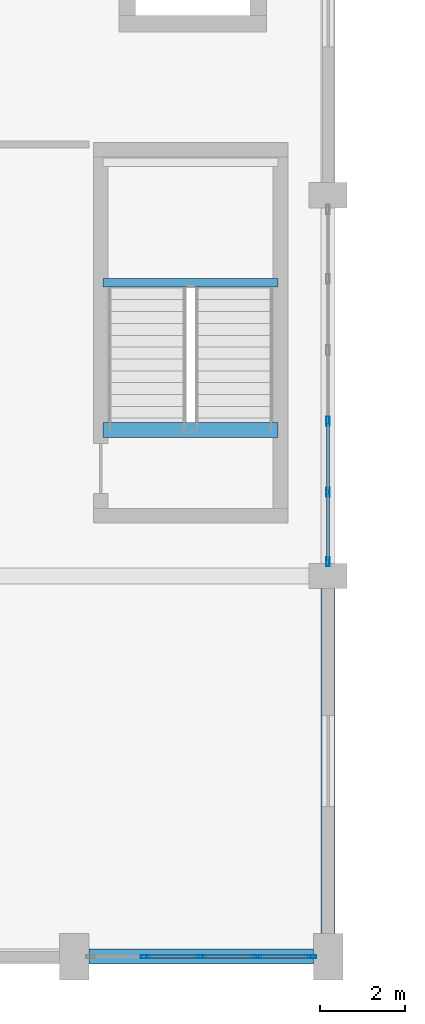
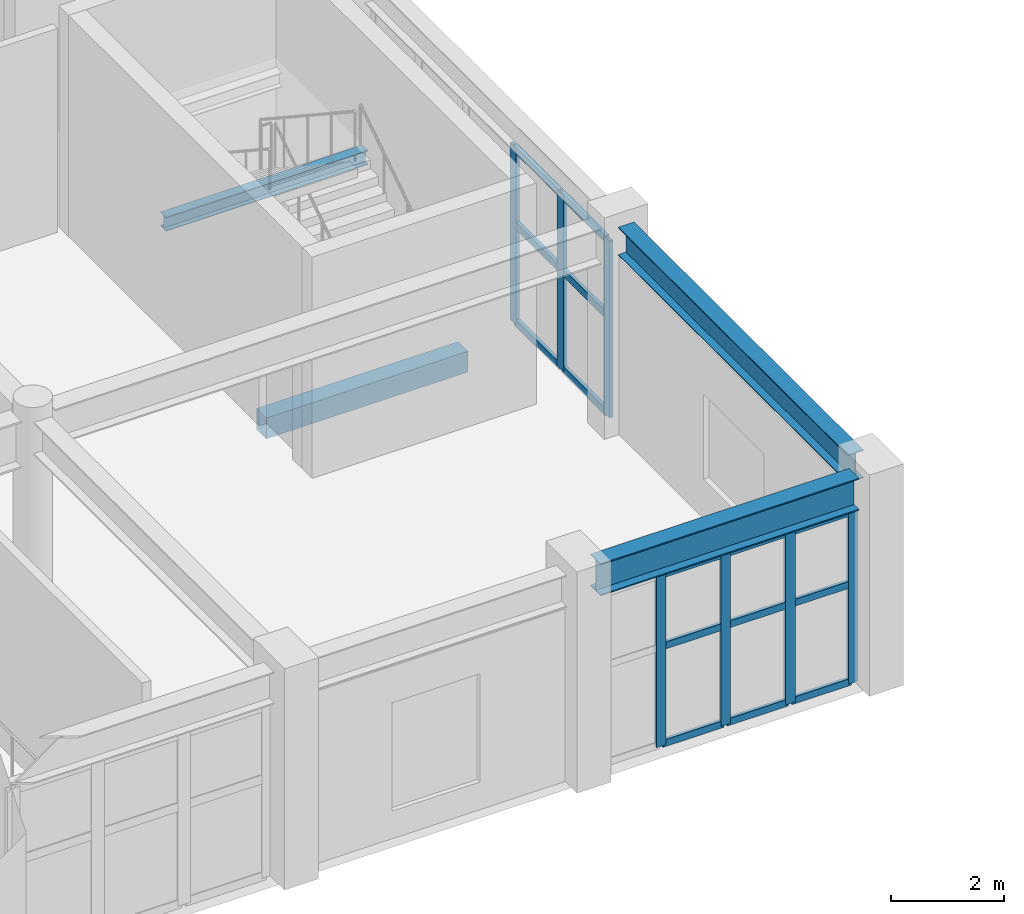
# One storey, part 22 of 85: 22 members, 4 beams, 2 elements without a shape of their own.
"""IFC4 building model written with IfcOpenShell, lengths in metres."""

from ifc_helpers import new_model, si_unit, direction, frame, origin, origin_2d, place, context, subcontext, project, spatial, rectangle, hollow_rectangle, i_section, extrude, material, layer, layer_set, material_profile, profile_set, type_object, element, aggregate, save


model = new_model("IFC4")

# Units and contexts
model_context = context("Model", 3, precision=1e-05, world=origin(), true_north=direction((0.0, 1.0)))
body_context = subcontext(model_context, "Body", "Model", "MODEL_VIEW")
ifc_project = project(units=[si_unit("LENGTHUNIT", "METRE"), si_unit("AREAUNIT", "SQUARE_METRE"), si_unit("VOLUMEUNIT", "CUBIC_METRE"), si_unit("PLANEANGLEUNIT", "RADIAN"), si_unit("MASSUNIT", "GRAM", prefix="KILO")], contexts=[model_context])

# Site, building, storey
site_placement = place(None, origin())
site = spatial("IfcSite", under=ifc_project, at=site_placement, CompositionType="ELEMENT")
building_placement = place(site_placement, origin())
building = spatial("IfcBuilding", under=site, at=building_placement, Name="Vaelkrest Opera House", CompositionType="ELEMENT")
storey_placement = place(building_placement, frame((0.0, 0.0, 10.199951171875)))
storey = spatial("IfcBuildingStorey", under=building, at=storey_placement, Name="L02", CompositionType="ELEMENT", Elevation=10.199951171875)

# Curtain wall, members
ifc_material_1 = material(Name="Dark bronze anodized aluminium", Category="aluminium")
ifc_layer_1 = layer(ifc_material_1, 0.18994140625)
ifc_layer_set_1 = layer_set([ifc_layer_1], Name="Dark bronze anodized aluminium")
curtain_wall_type_1 = type_object("IfcCurtainWallType", Name="CW02", PredefinedType="NOTDEFINED", material=ifc_layer_set_1)
curtain_wall_1_placement = place(storey_placement, origin())
curtain_wall_1 = element("IfcCurtainWall", 1, at=curtain_wall_1_placement, inside=storey, type_object=curtain_wall_type_1, Name="Curtain wall CW-L02-031", PredefinedType="NOTDEFINED")
ifc_material_profile_1 = material_profile(ifc_material_1, hollow_rectangle(XDim=0.070068359375, YDim=0.199951171875, WallThickness=0.004150390625, at=origin_2d()), Name="CWM70X200")
ifc_profile_set_1 = profile_set([ifc_material_profile_1], Name="Dark bronze anodized aluminium")
member_type_1 = type_object("IfcMemberType", Name="CWM02", PredefinedType="MULLION", material=ifc_profile_set_1)
member_1_placement = place(storey_placement, frame((29.616943359375, -55.800048828125, 0.0), z_axis=(0.0, 0.0, 1.0), x_axis=(0.0, -1.0, 0.0)))
member_1 = element("IfcMember", 2, at=member_1_placement, type_object=member_type_1, Name="CW02 mullion 1", PredefinedType="MULLION", context=body_context, shape_type="SweptSolid", body=[
    extrude(hollow_rectangle(XDim=0.070068359375, YDim=0.199951171875, WallThickness=0.004150390625, at=origin_2d()), origin(), (0.0, 0.0, 1.0), 3.7451171875),
])
member_2_placement = place(storey_placement, frame((28.325927734375, -55.800048828125, 0.0), z_axis=(0.0, 0.0, 1.0), x_axis=(0.0, -1.0, 0.0)))
member_2 = element("IfcMember", 3, at=member_2_placement, type_object=member_type_1, Name="CW02 mullion 2", PredefinedType="MULLION", context=body_context, shape_type="SweptSolid", body=[
    extrude(hollow_rectangle(XDim=0.070068359375, YDim=0.199951171875, WallThickness=0.004150390625, at=origin_2d()), origin(), (0.0, 0.0, 1.0), 3.7451171875),
])
member_3_placement = place(storey_placement, frame((27.0, -55.800048828125, 0.0), z_axis=(0.0, 0.0, 1.0), x_axis=(0.0, -1.0, 0.0)))
member_3 = element("IfcMember", 4, at=member_3_placement, type_object=member_type_1, Name="CW02 mullion 3", PredefinedType="MULLION", context=body_context, shape_type="SweptSolid", body=[
    extrude(hollow_rectangle(XDim=0.070068359375, YDim=0.199951171875, WallThickness=0.004150390625, at=origin_2d()), origin(), (0.0, 0.0, 1.0), 3.7451171875),
])
member_4_placement = place(storey_placement, frame((25.674072265625, -55.800048828125, 0.0), z_axis=(0.0, 0.0, 1.0), x_axis=(0.0, -1.0, 0.0)))
member_4 = element("IfcMember", 5, at=member_4_placement, type_object=member_type_1, Name="CW02 mullion 4", PredefinedType="MULLION", context=body_context, shape_type="SweptSolid", body=[
    extrude(hollow_rectangle(XDim=0.070068359375, YDim=0.199951171875, WallThickness=0.004150390625, at=origin_2d()), origin(), (0.0, 0.0, 1.0), 3.7451171875),
])

ifc_layer_2 = layer(ifc_material_1, 0.199951171875)
ifc_layer_set_2 = layer_set([ifc_layer_2], Name="Dark bronze anodized aluminium")
curtain_wall_type_2 = type_object("IfcCurtainWallType", Name="CW03", PredefinedType="NOTDEFINED", material=ifc_layer_set_2)
curtain_wall_2_placement = place(storey_placement, origin())
curtain_wall_2 = element("IfcCurtainWall", 6, at=curtain_wall_2_placement, inside=storey, type_object=curtain_wall_type_2, Name="Curtain wall CW-L02-041", PredefinedType="NOTDEFINED")
ifc_material_profile_2 = material_profile(ifc_material_1, hollow_rectangle(XDim=0.074951171875, YDim=0.219970703125, WallThickness=0.00439453125, at=origin_2d()), Name="CWM75X220")
ifc_profile_set_2 = profile_set([ifc_material_profile_2], Name="Dark bronze anodized aluminium")
member_type_2 = type_object("IfcMemberType", Name="CWM03", PredefinedType="MULLION", material=ifc_profile_set_2)
member_5_placement = place(storey_placement, frame((30.0, -43.140380859375, 0.0), z_axis=(0.0, 0.0, 1.0), x_axis=(1.0, 0.0, 0.0)))
member_5 = element("IfcMember", 7, at=member_5_placement, type_object=member_type_2, Name="CW03 mullion 4", PredefinedType="MULLION", context=body_context, shape_type="SweptSolid", body=[
    extrude(hollow_rectangle(XDim=0.074951171875, YDim=0.219970703125, WallThickness=0.00439453125, at=origin_2d()), origin(), (0.0, 0.0, 1.0), 3.8291015625),
])
member_6_placement = place(storey_placement, frame((30.0, -44.8212890625, 0.0), z_axis=(0.0, 0.0, 1.0), x_axis=(1.0, 0.0, 0.0)))
member_6 = element("IfcMember", 8, at=member_6_placement, type_object=member_type_2, Name="CW03 mullion 5", PredefinedType="MULLION", context=body_context, shape_type="SweptSolid", body=[
    extrude(hollow_rectangle(XDim=0.074951171875, YDim=0.219970703125, WallThickness=0.00439453125, at=origin_2d()), origin(), (0.0, 0.0, 1.0), 3.8291015625),
])
member_7_placement = place(storey_placement, frame((30.0, -46.464599609375, 0.0), z_axis=(0.0, 0.0, 1.0), x_axis=(1.0, 0.0, 0.0)))
member_7 = element("IfcMember", 9, at=member_7_placement, type_object=member_type_2, Name="CW03 mullion 6", PredefinedType="MULLION", context=body_context, shape_type="SweptSolid", body=[
    extrude(hollow_rectangle(XDim=0.074951171875, YDim=0.219970703125, WallThickness=0.00439453125, at=origin_2d()), origin(), (0.0, 0.0, 1.0), 3.8291015625),
])

# Member
ifc_material_profile_3 = material_profile(ifc_material_1, hollow_rectangle(XDim=0.070068359375, YDim=0.14990234375, WallThickness=0.004150390625, at=origin_2d()), Name="CWT70X150")
ifc_profile_set_3 = profile_set([ifc_material_profile_3], Name="Dark bronze anodized aluminium")
member_type_3 = type_object("IfcMemberType", Name="CWT02", PredefinedType="USERDEFINED", material=ifc_profile_set_3)
member_8_placement = place(storey_placement, frame((29.58203125, -55.800048828125, 0.03515625), z_axis=(-1.0, 0.0, 0.0), x_axis=(0.0, -1.0, 0.0)))
member_8 = element("IfcMember", 10, at=member_8_placement, type_object=member_type_3, Name="CW02 transom 1.1", ObjectType="TRANSOM", PredefinedType="USERDEFINED", context=body_context, shape_type="SweptSolid", body=[
    extrude(hollow_rectangle(XDim=0.070068359375, YDim=0.14990234375, WallThickness=0.004150390625, at=origin_2d()), origin(), (0.0, 0.0, 1.0), 1.220947265625),
])

member_9_placement = place(storey_placement, frame((29.58203125, -55.800048828125, 2.150146484375), z_axis=(-1.0, 0.0, 0.0), x_axis=(0.0, -1.0, 0.0)))
member_9 = element("IfcMember", 11, at=member_9_placement, type_object=member_type_3, Name="CW02 transom 1.2", ObjectType="TRANSOM", PredefinedType="USERDEFINED", context=body_context, shape_type="SweptSolid", body=[
    extrude(hollow_rectangle(XDim=0.070068359375, YDim=0.14990234375, WallThickness=0.004150390625, at=origin_2d()), origin(), (0.0, 0.0, 1.0), 1.220947265625),
])

member_10_placement = place(storey_placement, frame((29.58203125, -55.800048828125, 3.7099609375), z_axis=(-1.0, 0.0, 0.0), x_axis=(0.0, -1.0, 0.0)))
member_10 = element("IfcMember", 12, at=member_10_placement, type_object=member_type_3, Name="CW02 transom 1.3", ObjectType="TRANSOM", PredefinedType="USERDEFINED", context=body_context, shape_type="SweptSolid", body=[
    extrude(hollow_rectangle(XDim=0.070068359375, YDim=0.14990234375, WallThickness=0.004150390625, at=origin_2d()), origin(), (0.0, 0.0, 1.0), 1.220947265625),
])

member_11_placement = place(storey_placement, frame((28.291015625, -55.800048828125, 0.03515625), z_axis=(-1.0, 0.0, 0.0), x_axis=(0.0, -1.0, 0.0)))
member_11 = element("IfcMember", 13, at=member_11_placement, type_object=member_type_3, Name="CW02 transom 2.1", ObjectType="TRANSOM", PredefinedType="USERDEFINED", context=body_context, shape_type="SweptSolid", body=[
    extrude(hollow_rectangle(XDim=0.070068359375, YDim=0.14990234375, WallThickness=0.004150390625, at=origin_2d()), origin(), (0.0, 0.0, 1.0), 1.256103515625),
])

member_12_placement = place(storey_placement, frame((28.291015625, -55.800048828125, 2.150146484375), z_axis=(-1.0, 0.0, 0.0), x_axis=(0.0, -1.0, 0.0)))
member_12 = element("IfcMember", 14, at=member_12_placement, type_object=member_type_3, Name="CW02 transom 2.2", ObjectType="TRANSOM", PredefinedType="USERDEFINED", context=body_context, shape_type="SweptSolid", body=[
    extrude(hollow_rectangle(XDim=0.070068359375, YDim=0.14990234375, WallThickness=0.004150390625, at=origin_2d()), origin(), (0.0, 0.0, 1.0), 1.256103515625),
])

member_13_placement = place(storey_placement, frame((28.291015625, -55.800048828125, 3.7099609375), z_axis=(-1.0, 0.0, 0.0), x_axis=(0.0, -1.0, 0.0)))
member_13 = element("IfcMember", 15, at=member_13_placement, type_object=member_type_3, Name="CW02 transom 2.3", ObjectType="TRANSOM", PredefinedType="USERDEFINED", context=body_context, shape_type="SweptSolid", body=[
    extrude(hollow_rectangle(XDim=0.070068359375, YDim=0.14990234375, WallThickness=0.004150390625, at=origin_2d()), origin(), (0.0, 0.0, 1.0), 1.256103515625),
])

member_14_placement = place(storey_placement, frame((26.965087890625, -55.800048828125, 0.03515625), z_axis=(-1.0, 0.0, 0.0), x_axis=(0.0, -1.0, 0.0)))
member_14 = element("IfcMember", 16, at=member_14_placement, type_object=member_type_3, Name="CW02 transom 3.1", ObjectType="TRANSOM", PredefinedType="USERDEFINED", context=body_context, shape_type="SweptSolid", body=[
    extrude(hollow_rectangle(XDim=0.070068359375, YDim=0.14990234375, WallThickness=0.004150390625, at=origin_2d()), origin(), (0.0, 0.0, 1.0), 1.256103515625),
])

member_15_placement = place(storey_placement, frame((26.965087890625, -55.800048828125, 2.150146484375), z_axis=(-1.0, 0.0, 0.0), x_axis=(0.0, -1.0, 0.0)))
member_15 = element("IfcMember", 17, at=member_15_placement, type_object=member_type_3, Name="CW02 transom 3.2", ObjectType="TRANSOM", PredefinedType="USERDEFINED", context=body_context, shape_type="SweptSolid", body=[
    extrude(hollow_rectangle(XDim=0.070068359375, YDim=0.14990234375, WallThickness=0.004150390625, at=origin_2d()), origin(), (0.0, 0.0, 1.0), 1.256103515625),
])

member_16_placement = place(storey_placement, frame((26.965087890625, -55.800048828125, 3.7099609375), z_axis=(-1.0, 0.0, 0.0), x_axis=(0.0, -1.0, 0.0)))
member_16 = element("IfcMember", 18, at=member_16_placement, type_object=member_type_3, Name="CW02 transom 3.3", ObjectType="TRANSOM", PredefinedType="USERDEFINED", context=body_context, shape_type="SweptSolid", body=[
    extrude(hollow_rectangle(XDim=0.070068359375, YDim=0.14990234375, WallThickness=0.004150390625, at=origin_2d()), origin(), (0.0, 0.0, 1.0), 1.256103515625),
])

aggregate(curtain_wall_1, [member_1, member_2, member_3, member_4, member_8, member_9, member_10, member_11, member_12, member_13, member_14, member_15, member_16])

ifc_material_profile_4 = material_profile(ifc_material_1, hollow_rectangle(XDim=0.074951171875, YDim=0.159912109375, WallThickness=0.00439453125, at=origin_2d()), Name="CWT75X160")
ifc_profile_set_4 = profile_set([ifc_material_profile_4], Name="Dark bronze anodized aluminium")
member_type_4 = type_object("IfcMemberType", Name="CWT03", PredefinedType="USERDEFINED", material=ifc_profile_set_4)
member_17_placement = place(storey_placement, frame((30.0, -43.177978515625, 0.03759765625), z_axis=(0.0, -1.0, 0.0), x_axis=(1.0, 0.0, 0.0)))
member_17 = element("IfcMember", 19, at=member_17_placement, type_object=member_type_4, Name="CW03 transom 4.1", ObjectType="TRANSOM", PredefinedType="USERDEFINED", context=body_context, shape_type="SweptSolid", body=[
    extrude(hollow_rectangle(XDim=0.074951171875, YDim=0.159912109375, WallThickness=0.00439453125, at=origin_2d()), origin(), (0.0, 0.0, 1.0), 1.605712890625),
])

member_18_placement = place(storey_placement, frame((30.0, -43.177978515625, 2.150146484375), z_axis=(0.0, -1.0, 0.0), x_axis=(1.0, 0.0, 0.0)))
member_18 = element("IfcMember", 20, at=member_18_placement, type_object=member_type_4, Name="CW03 transom 4.2", ObjectType="TRANSOM", PredefinedType="USERDEFINED", context=body_context, shape_type="SweptSolid", body=[
    extrude(hollow_rectangle(XDim=0.074951171875, YDim=0.159912109375, WallThickness=0.00439453125, at=origin_2d()), origin(), (0.0, 0.0, 1.0), 1.605712890625),
])

member_19_placement = place(storey_placement, frame((30.0, -43.177978515625, 3.79150390625), z_axis=(0.0, -1.0, 0.0), x_axis=(1.0, 0.0, 0.0)))
member_19 = element("IfcMember", 21, at=member_19_placement, type_object=member_type_4, Name="CW03 transom 4.3", ObjectType="TRANSOM", PredefinedType="USERDEFINED", context=body_context, shape_type="SweptSolid", body=[
    extrude(hollow_rectangle(XDim=0.074951171875, YDim=0.159912109375, WallThickness=0.00439453125, at=origin_2d()), origin(), (0.0, 0.0, 1.0), 1.605712890625),
])

member_20_placement = place(storey_placement, frame((30.0, -44.858642578125, 0.03759765625), z_axis=(0.0, -1.0, 0.0), x_axis=(1.0, 0.0, 0.0)))
member_20 = element("IfcMember", 22, at=member_20_placement, type_object=member_type_4, Name="CW03 transom 5.1", ObjectType="TRANSOM", PredefinedType="USERDEFINED", context=body_context, shape_type="SweptSolid", body=[
    extrude(hollow_rectangle(XDim=0.074951171875, YDim=0.159912109375, WallThickness=0.00439453125, at=origin_2d()), origin(), (0.0, 0.0, 1.0), 1.568359375),
])

member_21_placement = place(storey_placement, frame((30.0, -44.858642578125, 2.150146484375), z_axis=(0.0, -1.0, 0.0), x_axis=(1.0, 0.0, 0.0)))
member_21 = element("IfcMember", 23, at=member_21_placement, type_object=member_type_4, Name="CW03 transom 5.2", ObjectType="TRANSOM", PredefinedType="USERDEFINED", context=body_context, shape_type="SweptSolid", body=[
    extrude(hollow_rectangle(XDim=0.074951171875, YDim=0.159912109375, WallThickness=0.00439453125, at=origin_2d()), origin(), (0.0, 0.0, 1.0), 1.568359375),
])

member_22_placement = place(storey_placement, frame((30.0, -44.858642578125, 3.79150390625), z_axis=(0.0, -1.0, 0.0), x_axis=(1.0, 0.0, 0.0)))
member_22 = element("IfcMember", 24, at=member_22_placement, type_object=member_type_4, Name="CW03 transom 5.3", ObjectType="TRANSOM", PredefinedType="USERDEFINED", context=body_context, shape_type="SweptSolid", body=[
    extrude(hollow_rectangle(XDim=0.074951171875, YDim=0.159912109375, WallThickness=0.00439453125, at=origin_2d()), origin(), (0.0, 0.0, 1.0), 1.568359375),
])

aggregate(curtain_wall_2, [member_5, member_6, member_7, member_17, member_18, member_19, member_20, member_21, member_22])

# Beams
ifc_material_2 = material(Name="Steel A992 Gr50", Category="steel")
ifc_material_profile_5 = material_profile(ifc_material_2, i_section(OverallWidth=0.202880859375, OverallDepth=0.302978515625, WebThickness=0.007568359375, FlangeThickness=0.01318359375, at=origin_2d()), Name="W12X40")
ifc_profile_set_5 = profile_set([ifc_material_profile_5], Name="Steel A992 Gr50")
beam_type_1 = type_object("IfcBeamType", Name="J02", PredefinedType="JOIST", material=ifc_profile_set_5)
beam_1_placement = place(storey_placement, frame((24.679931640625, -39.8701171875, 2.048583984375), z_axis=(1.0, 0.0, 0.0), x_axis=(0.0, 1.0, 0.0)))
element("IfcBeam", 25, at=beam_1_placement, inside=storey, type_object=beam_type_1, Name="Stair landing bearer beam ST04 L02-1N", PredefinedType="JOIST", context=body_context, shape_type="SweptSolid", body=[
    extrude(i_section(OverallWidth=0.202880859375, OverallDepth=0.302978515625, WebThickness=0.007568359375, FlangeThickness=0.01318359375, at=origin_2d()), origin(), (0.0, 0.0, 1.0), 4.14013671875),
])
ifc_material_3 = material(Name="Concrete C50/60", Category="concrete")
ifc_material_profile_6 = material_profile(ifc_material_3, rectangle(XDim=0.35009765625, YDim=0.449951171875, at=origin_2d()), Name="RCB350X450")
ifc_profile_set_6 = profile_set([ifc_material_profile_6], Name="Concrete C50/60")
beam_type_2 = type_object("IfcBeamType", Name="LN01", PredefinedType="LINTEL", material=ifc_profile_set_6)
beam_2_placement = place(storey_placement, frame((24.679931640625, -43.35009765625, -0.224853515625), z_axis=(1.0, 0.0, 0.0), x_axis=(0.0, 1.0, 0.0)))
element("IfcBeam", 26, at=beam_2_placement, inside=storey, type_object=beam_type_2, Name="Stairwell trimmer beam ST04 L02", PredefinedType="LINTEL", context=body_context, shape_type="SweptSolid", body=[
    extrude(rectangle(XDim=0.35009765625, YDim=0.449951171875, at=origin_2d()), origin(), (0.0, 0.0, 1.0), 4.14013671875),
])
ifc_material_profile_7 = material_profile(ifc_material_2, i_section(OverallWidth=0.323974609375, OverallDepth=0.611083984375, WebThickness=0.0126953125, FlangeThickness=0.01904296875, at=origin_2d()), Name="W24X104")
ifc_profile_set_7 = profile_set([ifc_material_profile_7], Name="Steel A992 Gr50")
beam_type_3 = type_object("IfcBeamType", Name="SP01", PredefinedType="SPANDREL", material=ifc_profile_set_7)
beam_3_placement = place(storey_placement, frame((30.0, -55.25, 4.199462890625), z_axis=(0.0, 1.0, 0.0), x_axis=(-1.0, 0.0, 0.0)))
element("IfcBeam", 27, at=beam_3_placement, inside=storey, type_object=beam_type_3, Name="Beam BM-V1-L02-0399", PredefinedType="SPANDREL", context=body_context, shape_type="SweptSolid", body=[
    extrude(i_section(OverallWidth=0.323974609375, OverallDepth=0.611083984375, WebThickness=0.0126953125, FlangeThickness=0.01904296875, at=origin_2d()), origin(), (0.0, 0.0, 1.0), 8.14990234375),
])
ifc_material_profile_8 = material_profile(ifc_material_2, i_section(OverallWidth=0.35498046875, OverallDepth=0.695068359375, WebThickness=0.015380859375, FlangeThickness=0.02490234375, at=origin_2d()), Name="W27X146")
ifc_profile_set_8 = profile_set([ifc_material_profile_8], Name="Steel A992 Gr50")
beam_type_4 = type_object("IfcBeamType", Name="SP02", PredefinedType="SPANDREL", material=ifc_profile_set_8)
beam_4_placement = place(storey_placement, frame((24.35009765625, -55.800048828125, 4.157470703125), z_axis=(1.0, 0.0, 0.0), x_axis=(0.0, 1.0, 0.0)))
element("IfcBeam", 28, at=beam_4_placement, inside=storey, type_object=beam_type_4, Name="Beam BM-V1-L02-0322", PredefinedType="SPANDREL", context=body_context, shape_type="SweptSolid", body=[
    extrude(i_section(OverallWidth=0.35498046875, OverallDepth=0.695068359375, WebThickness=0.015380859375, FlangeThickness=0.02490234375, at=origin_2d()), origin(), (0.0, 0.0, 1.0), 5.2998046875),
])

save(model, "model.ifc")
